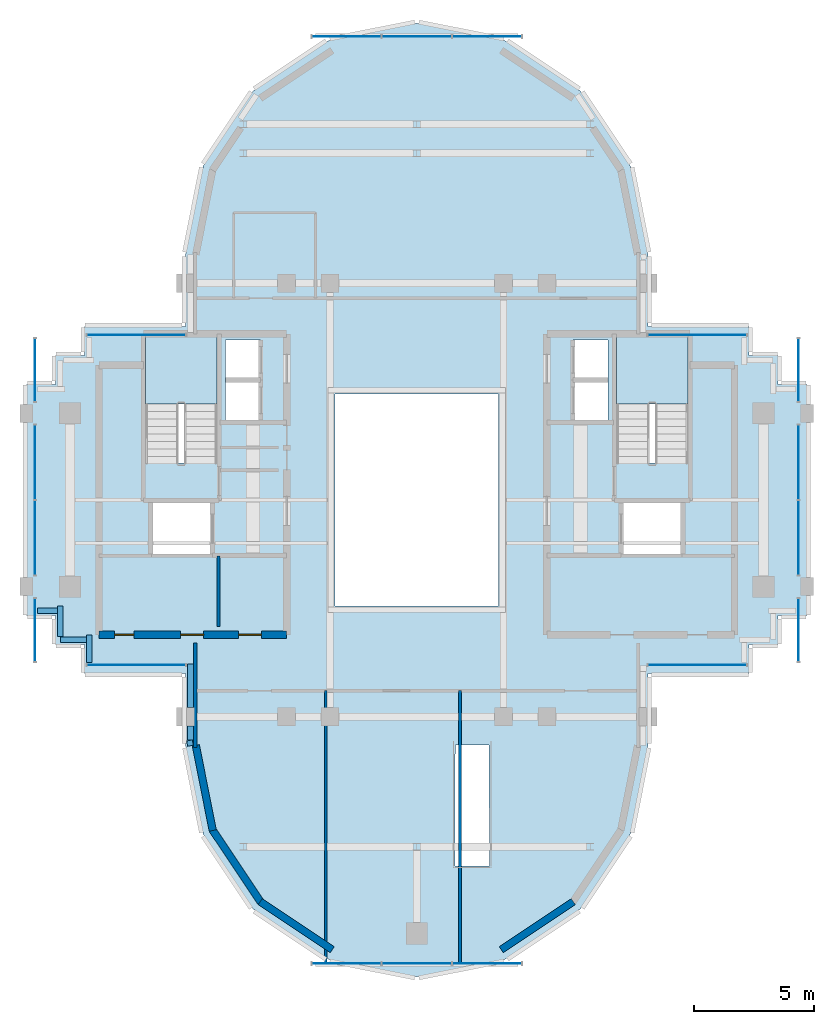
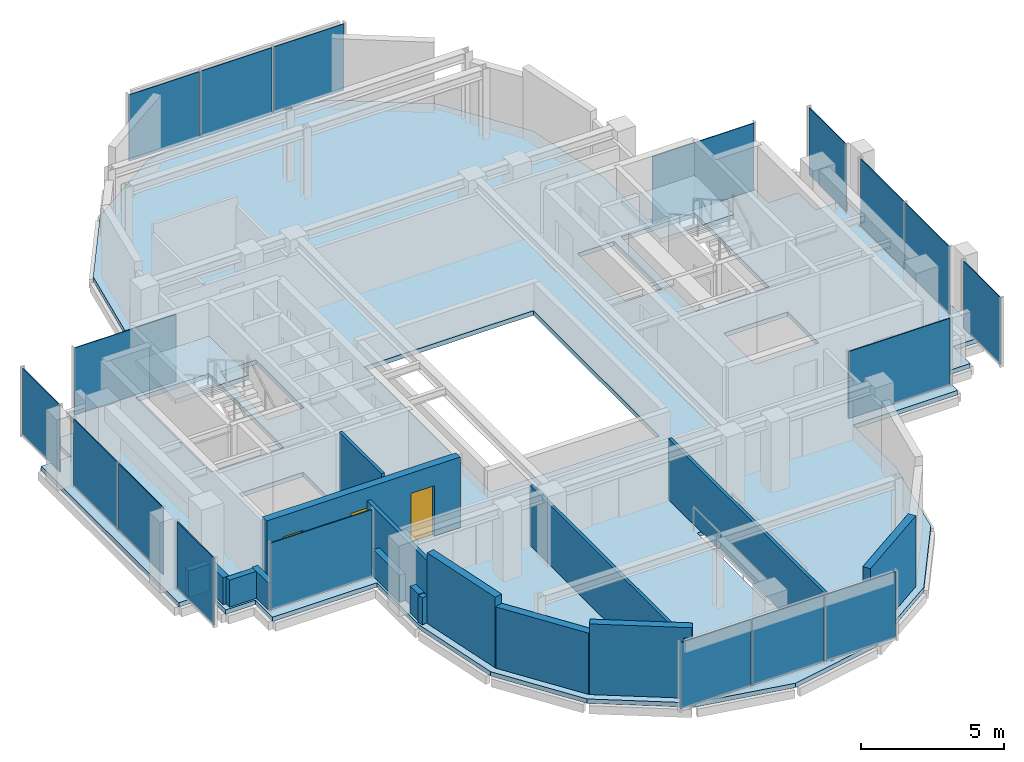
# One storey, part 6 of 11: 18 plates, 16 walls, 3 doors, 3 slabs, 3 openings, 14 elements without a shape of their own.
"""IFC4 building model written with IfcOpenShell, lengths in metres."""

from ifc_helpers import new_model, si_unit, direction, frame, frame_2d, origin, origin_2d, place, context, subcontext, project, spatial, polyline, rectangle, outline, extrude, source, transform, mapped, material, layer, layer_set, type_object, element, fill, aggregate, save


model = new_model("IFC4")

# Units and contexts
model_context = context("Model", 3, precision=1e-05, world=origin(), true_north=direction((0.0, 1.0)))
body_context = subcontext(model_context, "Body", "Model", "MODEL_VIEW")
ifc_project = project(units=[si_unit("LENGTHUNIT", "METRE"), si_unit("AREAUNIT", "SQUARE_METRE"), si_unit("VOLUMEUNIT", "CUBIC_METRE"), si_unit("PLANEANGLEUNIT", "RADIAN"), si_unit("MASSUNIT", "GRAM", prefix="KILO")], contexts=[model_context])

# Site, building, storey
site_placement = place(None, origin())
site = spatial("IfcSite", under=ifc_project, at=site_placement, CompositionType="ELEMENT")
building_placement = place(site_placement, origin())
building = spatial("IfcBuilding", under=site, at=building_placement, Name="Keilestroom Media Tower", CompositionType="ELEMENT")
storey_placement = place(building_placement, frame((0.0, 0.0, 255.60009765625)))
storey = spatial("IfcBuildingStorey", under=building, at=storey_placement, Name="L71", CompositionType="ELEMENT", Elevation=255.60009765625)

# Slab
ifc_material_1 = material(Name="Concrete C50/60", Category="concrete")
ifc_layer_1 = layer(ifc_material_1, 0.18994140625)
ifc_layer_set_1 = layer_set([ifc_layer_1], Name="Concrete C50/60")
slab_type_1 = type_object("IfcSlabType", Name="Composite-Floor-Slab-190", PredefinedType="FLOOR", material=ifc_layer_set_1)
slab_1_placement = place(storey_placement, frame((0.0, 0.0, -0.190185546875)))
element("IfcSlab", 1, at=slab_1_placement, inside=storey, type_object=slab_type_1, Name="L71 Structural Composite Floor Slab", PredefinedType="FLOOR", context=body_context, shape_type="SweptSolid", body=[
    extrude(outline(polyline([(16.199951171875, -4.800048828125), (16.199951171875, 4.800048828125), (15.0, 4.800048828125), (15.0, 6.0), (13.800048828125, 6.0), (13.800048828125, 7.199951171875), (9.60009765625, 7.199951171875), (9.60009765625, 9.60009765625), (9.60009765625, 10.199951171875), (8.869140625, 13.873779296875), (6.7880859375, 16.98828125), (3.673828125, 19.069091796875), (0.0, 19.800048828125), (-3.673828125, 19.069091796875), (-6.7880859375, 16.98828125), (-8.869140625, 13.873779296875), (-9.60009765625, 10.199951171875), (-9.60009765625, 9.60009765625), (-9.60009765625, 7.199951171875), (-13.800048828125, 7.199951171875), (-13.800048828125, 6.0), (-15.0, 6.0), (-15.0, 4.800048828125), (-16.199951171875, 4.800048828125), (-16.199951171875, -4.800048828125), (-15.0, -4.800048828125), (-15.0, -6.0), (-13.800048828125, -6.0), (-13.800048828125, -7.199951171875), (-9.60009765625, -7.199951171875), (-9.60009765625, -9.60009765625), (-9.60009765625, -10.199951171875), (-8.869140625, -13.873779296875), (-6.7880859375, -16.98828125), (-3.673828125, -19.069091796875), (0.0, -19.800048828125), (3.673828125, -19.069091796875), (6.7880859375, -16.98828125), (8.869140625, -13.873779296875), (9.60009765625, -10.199951171875), (9.60009765625, -9.60009765625), (9.60009765625, -7.199951171875), (13.800048828125, -7.199951171875), (13.800048828125, -6.0), (15.0, -6.0), (15.0, -4.800048828125), (16.199951171875, -4.800048828125)]), holes=[polyline([(-8.300048828125, 6.760009765625), (-8.300048828125, 1.544921875), (-11.260009765625, 1.544921875), (-11.260009765625, 6.760009765625), (-8.300048828125, 6.760009765625)]), polyline([(-8.47998046875, -0.10009765625), (-8.47998046875, -2.280029296875), (-11.050048828125, -2.280029296875), (-11.050048828125, -0.10009765625), (-8.47998046875, -0.10009765625)]), polyline([(-6.47998046875, 6.64990234375), (-6.47998046875, 3.300048828125), (-7.949951171875, 3.300048828125), (-7.949951171875, 6.64990234375), (-6.47998046875, 6.64990234375)]), polyline([(3.39990234375, 4.39990234375), (3.39990234375, -4.39990234375), (-3.39990234375, -4.39990234375), (-3.39990234375, 4.39990234375), (3.39990234375, 4.39990234375)]), polyline([(3.02001953125, -15.199951171875), (1.580078125, -15.199951171875), (1.60009765625, -10.1650390625), (3.0, -10.1650390625), (3.02001953125, -15.199951171875)]), polyline([(7.949951171875, 6.64990234375), (7.949951171875, 3.300048828125), (6.47998046875, 3.300048828125), (6.47998046875, 6.64990234375), (7.949951171875, 6.64990234375)]), polyline([(11.260009765625, 6.760009765625), (11.260009765625, 1.544921875), (8.300048828125, 1.544921875), (8.300048828125, 6.760009765625), (11.260009765625, 6.760009765625)]), polyline([(11.050048828125, -0.10009765625), (11.050048828125, -2.280029296875), (8.47998046875, -2.280029296875), (8.47998046875, -0.10009765625), (11.050048828125, -0.10009765625)])]), origin(), (0.0, 0.0, 1.0), 0.190185546875),
])

# Stair, slab
ifc_material_2 = material(Name="Concrete C45/55", Category="concrete")
stair_type = type_object("IfcStairType", Name="Enclosed-Dog-Leg-Stair-ST-CORE", PredefinedType="HALF_TURN_STAIR", material=ifc_material_2)
stair_1_placement = place(storey_placement, origin())
stair_1 = element("IfcStair", 2, at=stair_1_placement, inside=storey, type_object=stair_type, Name="L71 West Core Escape Stair ST-1", PredefinedType="HALF_TURN_STAIR")
ifc_layer_2 = layer(ifc_material_2, 0.199951171875)
ifc_layer_set_2 = layer_set([ifc_layer_2], Name="Concrete C45/55")
slab_type_2 = type_object("IfcSlabType", Name="Stair-Intermediate-And-Top-Landing-Slab-200", PredefinedType="LANDING", material=ifc_layer_set_2)
slab_2_placement = place(storey_placement, frame((0.0, 0.0, 1.39990234375)))
slab_2 = element("IfcSlab", 3, at=slab_2_placement, type_object=slab_type_2, Name="ST-1 landing 1", PredefinedType="LANDING", context=body_context, shape_type="SweptSolid", body=[
    extrude(outline(polyline([(-8.300048828125, 3.99609375), (-8.300048828125, 6.760009765625), (-11.260009765625, 6.760009765625), (-11.260009765625, 3.99609375), (-8.300048828125, 3.99609375)])), origin(), (0.0, 0.0, 1.0), 0.199951171875),
])
aggregate(stair_1, [slab_2])

stair_2_placement = place(storey_placement, origin())
stair_2 = element("IfcStair", 4, at=stair_2_placement, inside=storey, type_object=stair_type, Name="L71 East Core Escape Stair ST-2", PredefinedType="HALF_TURN_STAIR")
slab_3_placement = place(storey_placement, frame((0.0, 0.0, 1.39990234375)))
slab_3 = element("IfcSlab", 5, at=slab_3_placement, type_object=slab_type_2, Name="ST-2 landing 1", PredefinedType="LANDING", context=body_context, shape_type="SweptSolid", body=[
    extrude(outline(polyline([(11.260009765625, 3.99609375), (11.260009765625, 6.760009765625), (8.300048828125, 6.760009765625), (8.300048828125, 3.99609375), (11.260009765625, 3.99609375)])), origin(), (0.0, 0.0, 1.0), 0.199951171875),
])
aggregate(stair_2, [slab_3])

# Curtain wall, plates
ifc_material_3 = material(Name="Anodised Aluminium Alloy", Category="aluminium")
curtain_wall_type_1 = type_object("IfcCurtainWallType", Name="Unitised-Curtain-Wall-CW-6", PredefinedType="NOTDEFINED", material=ifc_material_3)
curtain_wall_1_placement = place(storey_placement, origin())
curtain_wall_1 = element("IfcCurtainWall", 6, at=curtain_wall_1_placement, inside=storey, type_object=curtain_wall_type_1, Name="L71 Curtain Wall CW-6 CW-L71-LN-1", PredefinedType="NOTDEFINED")
ifc_material_4 = material(Name="Curved-Facet Triple Glazed Unit", Category="glass")
ifc_layer_3 = layer(ifc_material_4, 0.033935546875)
ifc_layer_set_3 = layer_set([ifc_layer_3], Name="Curved-Facet Triple Glazed Unit")
plate_type_1 = type_object("IfcPlateType", Name="Insulated-Curtain-Wall-Glazing-Panel-CW-6", PredefinedType="CURTAIN_PANEL", material=ifc_layer_set_3)
shared_shape_1 = source(origin(), body_context, "Body", "SweptSolid", [
    extrude(rectangle(XDim=2.84375, YDim=0.033935546875, at=origin_2d()), origin(), (0.0, 0.0, 1.0), 2.833984375),
])
plate_1_placement = place(storey_placement, frame((-2.9169921875, 19.25, 0.072998046875), z_axis=(0.0, 0.0, 1.0), x_axis=(1.0, 0.0, 0.0)))
plate_1 = element("IfcPlate", 7, at=plate_1_placement, type_object=plate_type_1, Name="CW-6 Unitised Glazing 00", PredefinedType="CURTAIN_PANEL", context=body_context, shape_type="MappedRepresentation", body=[
    mapped(shared_shape_1, transform((0.0, 0.0, 0.0), x_axis=(1.0, 0.0, 0.0), y_axis=(0.0, 1.0, 0.0), z_axis=(0.0, 0.0, 1.0), scale=1.0)),
])
plate_2_placement = place(storey_placement, frame((2.9169921875, 19.25, 0.072998046875), z_axis=(0.0, 0.0, 1.0), x_axis=(1.0, 0.0, 0.0)))
plate_2 = element("IfcPlate", 8, at=plate_2_placement, type_object=plate_type_1, Name="CW-6 Unitised Glazing 02", PredefinedType="CURTAIN_PANEL", context=body_context, shape_type="MappedRepresentation", body=[
    mapped(shared_shape_1, transform((0.0, 0.0, 0.0), x_axis=(1.0, 0.0, 0.0), y_axis=(0.0, 1.0, 0.0), z_axis=(0.0, 0.0, 1.0), scale=1.0)),
])

curtain_wall_2_placement = place(storey_placement, origin())
curtain_wall_2 = element("IfcCurtainWall", 9, at=curtain_wall_2_placement, inside=storey, type_object=curtain_wall_type_1, Name="L71 Curtain Wall CW-6 CW-L71-LS-1", PredefinedType="NOTDEFINED")
plate_3_placement = place(storey_placement, frame((-2.9169921875, -19.25, 0.072998046875), z_axis=(0.0, 0.0, 1.0), x_axis=(1.0, 0.0, 0.0)))
plate_3 = element("IfcPlate", 10, at=plate_3_placement, type_object=plate_type_1, Name="CW-6 Unitised Glazing 00", PredefinedType="CURTAIN_PANEL", context=body_context, shape_type="MappedRepresentation", body=[
    mapped(shared_shape_1, transform((0.0, 0.0, 0.0), x_axis=(1.0, 0.0, 0.0), y_axis=(0.0, 1.0, 0.0), z_axis=(0.0, 0.0, 1.0), scale=1.0)),
])
plate_4_placement = place(storey_placement, frame((2.9169921875, -19.25, 0.072998046875), z_axis=(0.0, 0.0, 1.0), x_axis=(1.0, 0.0, 0.0)))
plate_4 = element("IfcPlate", 11, at=plate_4_placement, type_object=plate_type_1, Name="CW-6 Unitised Glazing 02", PredefinedType="CURTAIN_PANEL", context=body_context, shape_type="MappedRepresentation", body=[
    mapped(shared_shape_1, transform((0.0, 0.0, 0.0), x_axis=(1.0, 0.0, 0.0), y_axis=(0.0, 1.0, 0.0), z_axis=(0.0, 0.0, 1.0), scale=1.0)),
])

# Plate
shared_shape_2 = source(origin(), body_context, "Body", "SweptSolid", [
    extrude(rectangle(XDim=2.876220703125, YDim=0.033935546875, at=origin_2d()), origin(), (0.0, 0.0, 1.0), 2.833984375),
])
plate_5_placement = place(storey_placement, frame((0.0, 19.25, 0.072998046875), z_axis=(0.0, 0.0, 1.0), x_axis=(1.0, 0.0, 0.0)))
plate_5 = element("IfcPlate", 12, at=plate_5_placement, type_object=plate_type_1, Name="CW-6 Unitised Glazing 01", PredefinedType="CURTAIN_PANEL", context=body_context, shape_type="MappedRepresentation", body=[
    mapped(shared_shape_2, transform((0.0, 0.0, 0.0), x_axis=(1.0, 0.0, 0.0), y_axis=(0.0, 1.0, 0.0), z_axis=(0.0, 0.0, 1.0), scale=1.0)),
])

aggregate(curtain_wall_1, [plate_1, plate_5, plate_2])

plate_6_placement = place(storey_placement, frame((0.0, -19.25, 0.072998046875), z_axis=(0.0, 0.0, 1.0), x_axis=(1.0, 0.0, 0.0)))
plate_6 = element("IfcPlate", 13, at=plate_6_placement, type_object=plate_type_1, Name="CW-6 Unitised Glazing 01", PredefinedType="CURTAIN_PANEL", context=body_context, shape_type="MappedRepresentation", body=[
    mapped(shared_shape_2, transform((0.0, 0.0, 0.0), x_axis=(1.0, 0.0, 0.0), y_axis=(0.0, 1.0, 0.0), z_axis=(0.0, 0.0, 1.0), scale=1.0)),
])

aggregate(curtain_wall_2, [plate_3, plate_6, plate_4])

# Curtain wall, plates
curtain_wall_type_2 = type_object("IfcCurtainWallType", Name="Unitised-Curtain-Wall-CW-4", PredefinedType="NOTDEFINED", material=ifc_material_3)
curtain_wall_3_placement = place(storey_placement, origin())
curtain_wall_3 = element("IfcCurtainWall", 14, at=curtain_wall_3_placement, inside=storey, type_object=curtain_wall_type_2, Name="L71 Curtain Wall CW-4 CW-L71-W-2", PredefinedType="NOTDEFINED")
ifc_material_5 = material(Name="Triple Glazed Solar-Control Unit", Category="glass")
ifc_layer_4 = layer(ifc_material_5, 0.035888671875)
ifc_layer_set_4 = layer_set([ifc_layer_4], Name="Triple Glazed Solar-Control Unit")
plate_type_2 = type_object("IfcPlateType", Name="Insulated-Curtain-Wall-Glazing-Panel-CW-4", PredefinedType="CURTAIN_PANEL", material=ifc_layer_set_4)
shared_shape_3 = source(origin(), body_context, "Body", "SweptSolid", [
    extrude(rectangle(XDim=3.0830078125, YDim=0.035888671875, at=origin_2d()), origin(), (0.0, 0.0, 1.0), 2.85400390625),
])
plate_7_placement = place(storey_placement, frame((-15.85009765625, -1.5673828125, 0.06298828125), z_axis=(0.0, 0.0, 1.0), x_axis=(0.0, 1.0, 0.0)))
plate_7 = element("IfcPlate", 15, at=plate_7_placement, type_object=plate_type_2, Name="CW-4 Unitised Glazing 00", PredefinedType="CURTAIN_PANEL", context=body_context, shape_type="MappedRepresentation", body=[
    mapped(shared_shape_3, transform((0.0, 0.0, 0.0), x_axis=(1.0, 0.0, 0.0), y_axis=(0.0, 1.0, 0.0), z_axis=(0.0, 0.0, 1.0), scale=1.0)),
])
plate_8_placement = place(storey_placement, frame((-15.85009765625, 1.5673828125, 0.06298828125), z_axis=(0.0, 0.0, 1.0), x_axis=(0.0, 1.0, 0.0)))
plate_8 = element("IfcPlate", 16, at=plate_8_placement, type_object=plate_type_2, Name="CW-4 Unitised Glazing 01", PredefinedType="CURTAIN_PANEL", context=body_context, shape_type="MappedRepresentation", body=[
    mapped(shared_shape_3, transform((0.0, 0.0, 0.0), x_axis=(1.0, 0.0, 0.0), y_axis=(0.0, 1.0, 0.0), z_axis=(0.0, 0.0, 1.0), scale=1.0)),
])
aggregate(curtain_wall_3, [plate_7, plate_8])

curtain_wall_4_placement = place(storey_placement, origin())
curtain_wall_4 = element("IfcCurtainWall", 17, at=curtain_wall_4_placement, inside=storey, type_object=curtain_wall_type_2, Name="L71 Curtain Wall CW-4 CW-L71-E-2", PredefinedType="NOTDEFINED")
plate_9_placement = place(storey_placement, frame((15.85009765625, -1.5673828125, 0.06298828125), z_axis=(0.0, 0.0, 1.0), x_axis=(0.0, 1.0, 0.0)))
plate_9 = element("IfcPlate", 18, at=plate_9_placement, type_object=plate_type_2, Name="CW-4 Unitised Glazing 00", PredefinedType="CURTAIN_PANEL", context=body_context, shape_type="MappedRepresentation", body=[
    mapped(shared_shape_3, transform((0.0, 0.0, 0.0), x_axis=(1.0, 0.0, 0.0), y_axis=(0.0, 1.0, 0.0), z_axis=(0.0, 0.0, 1.0), scale=1.0)),
])
plate_10_placement = place(storey_placement, frame((15.85009765625, 1.5673828125, 0.06298828125), z_axis=(0.0, 0.0, 1.0), x_axis=(0.0, 1.0, 0.0)))
plate_10 = element("IfcPlate", 19, at=plate_10_placement, type_object=plate_type_2, Name="CW-4 Unitised Glazing 01", PredefinedType="CURTAIN_PANEL", context=body_context, shape_type="MappedRepresentation", body=[
    mapped(shared_shape_3, transform((0.0, 0.0, 0.0), x_axis=(1.0, 0.0, 0.0), y_axis=(0.0, 1.0, 0.0), z_axis=(0.0, 0.0, 1.0), scale=1.0)),
])
aggregate(curtain_wall_4, [plate_9, plate_10])

# Curtain wall, plate
curtain_wall_5_placement = place(storey_placement, origin())
curtain_wall_5 = element("IfcCurtainWall", 20, at=curtain_wall_5_placement, inside=storey, type_object=curtain_wall_type_2, Name="L71 Curtain Wall CW-4 CW-L71-W-1", PredefinedType="NOTDEFINED")
shared_shape_4 = source(origin(), body_context, "Body", "SweptSolid", [
    extrude(rectangle(XDim=2.60302734375, YDim=0.035888671875, at=origin_2d()), origin(), (0.0, 0.0, 1.0), 2.85400390625),
])
plate_11_placement = place(storey_placement, frame((-15.85009765625, -5.392578125, 0.06298828125), z_axis=(0.0, 0.0, 1.0), x_axis=(0.0, 1.0, 0.0)))
plate_11 = element("IfcPlate", 21, at=plate_11_placement, type_object=plate_type_2, Name="CW-4 Unitised Glazing 00", PredefinedType="CURTAIN_PANEL", context=body_context, shape_type="MappedRepresentation", body=[
    mapped(shared_shape_4, transform((0.0, 0.0, 0.0), x_axis=(1.0, 0.0, 0.0), y_axis=(0.0, 1.0, 0.0), z_axis=(0.0, 0.0, 1.0), scale=1.0)),
])
aggregate(curtain_wall_5, [plate_11])

curtain_wall_6_placement = place(storey_placement, origin())
curtain_wall_6 = element("IfcCurtainWall", 22, at=curtain_wall_6_placement, inside=storey, type_object=curtain_wall_type_2, Name="L71 Curtain Wall CW-4 CW-L71-W-3", PredefinedType="NOTDEFINED")
plate_12_placement = place(storey_placement, frame((-15.85009765625, 5.392578125, 0.06298828125), z_axis=(0.0, 0.0, 1.0), x_axis=(0.0, 1.0, 0.0)))
plate_12 = element("IfcPlate", 23, at=plate_12_placement, type_object=plate_type_2, Name="CW-4 Unitised Glazing 00", PredefinedType="CURTAIN_PANEL", context=body_context, shape_type="MappedRepresentation", body=[
    mapped(shared_shape_4, transform((0.0, 0.0, 0.0), x_axis=(1.0, 0.0, 0.0), y_axis=(0.0, 1.0, 0.0), z_axis=(0.0, 0.0, 1.0), scale=1.0)),
])
aggregate(curtain_wall_6, [plate_12])

curtain_wall_7_placement = place(storey_placement, origin())
curtain_wall_7 = element("IfcCurtainWall", 24, at=curtain_wall_7_placement, inside=storey, type_object=curtain_wall_type_2, Name="L71 Curtain Wall CW-4 CW-L71-E-1", PredefinedType="NOTDEFINED")
plate_13_placement = place(storey_placement, frame((15.85009765625, -5.392578125, 0.06298828125), z_axis=(0.0, 0.0, 1.0), x_axis=(0.0, 1.0, 0.0)))
plate_13 = element("IfcPlate", 25, at=plate_13_placement, type_object=plate_type_2, Name="CW-4 Unitised Glazing 00", PredefinedType="CURTAIN_PANEL", context=body_context, shape_type="MappedRepresentation", body=[
    mapped(shared_shape_4, transform((0.0, 0.0, 0.0), x_axis=(1.0, 0.0, 0.0), y_axis=(0.0, 1.0, 0.0), z_axis=(0.0, 0.0, 1.0), scale=1.0)),
])
aggregate(curtain_wall_7, [plate_13])

curtain_wall_8_placement = place(storey_placement, origin())
curtain_wall_8 = element("IfcCurtainWall", 26, at=curtain_wall_8_placement, inside=storey, type_object=curtain_wall_type_2, Name="L71 Curtain Wall CW-4 CW-L71-E-3", PredefinedType="NOTDEFINED")
plate_14_placement = place(storey_placement, frame((15.85009765625, 5.392578125, 0.06298828125), z_axis=(0.0, 0.0, 1.0), x_axis=(0.0, 1.0, 0.0)))
plate_14 = element("IfcPlate", 27, at=plate_14_placement, type_object=plate_type_2, Name="CW-4 Unitised Glazing 00", PredefinedType="CURTAIN_PANEL", context=body_context, shape_type="MappedRepresentation", body=[
    mapped(shared_shape_4, transform((0.0, 0.0, 0.0), x_axis=(1.0, 0.0, 0.0), y_axis=(0.0, 1.0, 0.0), z_axis=(0.0, 0.0, 1.0), scale=1.0)),
])
aggregate(curtain_wall_8, [plate_14])

curtain_wall_9_placement = place(storey_placement, origin())
curtain_wall_9 = element("IfcCurtainWall", 28, at=curtain_wall_9_placement, inside=storey, type_object=curtain_wall_type_2, Name="L71 Curtain Wall CW-4 CW-L71-NW-1", PredefinedType="NOTDEFINED")
shared_shape_5 = source(origin(), body_context, "Body", "SweptSolid", [
    extrude(rectangle(XDim=4.087890625, YDim=0.035888671875, at=origin_2d()), origin(), (0.0, 0.0, 1.0), 2.85400390625),
])
plate_15_placement = place(storey_placement, frame((-11.64990234375, 6.85009765625, 0.06298828125), z_axis=(0.0, 0.0, 1.0), x_axis=(1.0, 0.0, 0.0)))
plate_15 = element("IfcPlate", 29, at=plate_15_placement, type_object=plate_type_2, Name="CW-4 Unitised Glazing 00", PredefinedType="CURTAIN_PANEL", context=body_context, shape_type="MappedRepresentation", body=[
    mapped(shared_shape_5, transform((0.0, 0.0, 0.0), x_axis=(1.0, 0.0, 0.0), y_axis=(0.0, 1.0, 0.0), z_axis=(0.0, 0.0, 1.0), scale=1.0)),
])
aggregate(curtain_wall_9, [plate_15])

curtain_wall_10_placement = place(storey_placement, origin())
curtain_wall_10 = element("IfcCurtainWall", 30, at=curtain_wall_10_placement, inside=storey, type_object=curtain_wall_type_2, Name="L71 Curtain Wall CW-4 CW-L71-NE-1", PredefinedType="NOTDEFINED")
plate_16_placement = place(storey_placement, frame((11.64990234375, 6.85009765625, 0.06298828125), z_axis=(0.0, 0.0, 1.0), x_axis=(1.0, 0.0, 0.0)))
plate_16 = element("IfcPlate", 31, at=plate_16_placement, type_object=plate_type_2, Name="CW-4 Unitised Glazing 00", PredefinedType="CURTAIN_PANEL", context=body_context, shape_type="MappedRepresentation", body=[
    mapped(shared_shape_5, transform((0.0, 0.0, 0.0), x_axis=(1.0, 0.0, 0.0), y_axis=(0.0, 1.0, 0.0), z_axis=(0.0, 0.0, 1.0), scale=1.0)),
])
aggregate(curtain_wall_10, [plate_16])

curtain_wall_11_placement = place(storey_placement, origin())
curtain_wall_11 = element("IfcCurtainWall", 32, at=curtain_wall_11_placement, inside=storey, type_object=curtain_wall_type_2, Name="L71 Curtain Wall CW-4 CW-L71-SW-1", PredefinedType="NOTDEFINED")
plate_17_placement = place(storey_placement, frame((-11.64990234375, -6.85009765625, 0.06298828125), z_axis=(0.0, 0.0, 1.0), x_axis=(1.0, 0.0, 0.0)))
plate_17 = element("IfcPlate", 33, at=plate_17_placement, type_object=plate_type_2, Name="CW-4 Unitised Glazing 00", PredefinedType="CURTAIN_PANEL", context=body_context, shape_type="MappedRepresentation", body=[
    mapped(shared_shape_5, transform((0.0, 0.0, 0.0), x_axis=(1.0, 0.0, 0.0), y_axis=(0.0, 1.0, 0.0), z_axis=(0.0, 0.0, 1.0), scale=1.0)),
])
aggregate(curtain_wall_11, [plate_17])

curtain_wall_12_placement = place(storey_placement, origin())
curtain_wall_12 = element("IfcCurtainWall", 34, at=curtain_wall_12_placement, inside=storey, type_object=curtain_wall_type_2, Name="L71 Curtain Wall CW-4 CW-L71-SE-1", PredefinedType="NOTDEFINED")
plate_18_placement = place(storey_placement, frame((11.64990234375, -6.85009765625, 0.06298828125), z_axis=(0.0, 0.0, 1.0), x_axis=(1.0, 0.0, 0.0)))
plate_18 = element("IfcPlate", 35, at=plate_18_placement, type_object=plate_type_2, Name="CW-4 Unitised Glazing 00", PredefinedType="CURTAIN_PANEL", context=body_context, shape_type="MappedRepresentation", body=[
    mapped(shared_shape_5, transform((0.0, 0.0, 0.0), x_axis=(1.0, 0.0, 0.0), y_axis=(0.0, 1.0, 0.0), z_axis=(0.0, 0.0, 1.0), scale=1.0)),
])
aggregate(curtain_wall_12, [plate_18])

# Walls
ifc_material_6 = material(Name="Precast concrete C40/50", Category="concrete")
ifc_layer_5 = layer(ifc_material_6, 0.300048828125)
ifc_layer_set_5 = layer_set([ifc_layer_5], Name="Precast concrete C40/50")
wall_type_1 = type_object("IfcWallType", Name="Exterior-Masonry-Spandrel-Wall-300", PredefinedType="SOLIDWALL", material=ifc_layer_set_5)
wall_1_placement = place(storey_placement, frame((-9.1748046875, -10.185302734375, 0.0), z_axis=(0.0, 0.0, 1.0), x_axis=(0.195114232679, -0.980780523974, 0.0)))
element("IfcWall", 36, at=wall_1_placement, inside=storey, type_object=wall_type_1, Name="L71 Lobe Facet Precast Frame Wall 07", PredefinedType="SOLIDWALL", context=body_context, shape_type="SweptSolid", body=[
    extrude(rectangle(XDim=3.608642578125, YDim=0.300048828125, at=frame_2d((1.80419921875, 0.0))), origin(), (0.0, 0.0, 1.0), 3.010009765625),
])
wall_2_placement = place(storey_placement, frame((-8.48193359375, -13.697509765625, 0.0), z_axis=(0.0, 0.0, 1.0), x_axis=(0.555574187116, -0.831466970246, 0.0)))
element("IfcWall", 37, at=wall_2_placement, inside=storey, type_object=wall_type_1, Name="L71 Lobe Facet Precast Frame Wall 08", PredefinedType="SOLIDWALL", context=body_context, shape_type="SweptSolid", body=[
    extrude(rectangle(XDim=3.608642578125, YDim=0.300048828125, at=frame_2d((1.80419921875, 0.0))), origin(), (0.0, 0.0, 1.0), 2.60986328125),
])
for number, where, z_axis, x_axis, name in (
    (38, (-6.497802734375, -16.677001953125, 0.0), (0.0, 0.0, 1.0), (0.831443568068, -0.555609208993, 0.0), "L71 Lobe Facet Precast Frame Wall 09"),
    (39, (3.510009765625, -18.673583984375, 0.0), (0.0, 0.0, 1.0), (0.831443568068, 0.555609208993, 0.0), "L71 Lobe Facet Precast Frame Wall 10"),
):
    element("IfcWall", number, at=place(storey_placement, frame(where, z_axis=z_axis, x_axis=x_axis)), inside=storey, type_object=wall_type_1, Name=name, PredefinedType="SOLIDWALL", context=body_context, shape_type="SweptSolid", body=[
        extrude(rectangle(XDim=3.593505859375, YDim=0.300048828125, at=frame_2d((1.796875, 0.0))), origin(), (0.0, 0.0, 1.0), 3.010009765625),
    ])
ifc_material_7 = material(Name="Gypsum Plasterboard & Steel Stud", Category="steel")
ifc_layer_6 = layer(ifc_material_7, 0.1201171875)
ifc_layer_set_6 = layer_set([ifc_layer_6], Name="Gypsum Plasterboard & Steel Stud")
wall_type_2 = type_object("IfcWallType", Name="Interior-Partition-Wall-120", PredefinedType="PARTITIONING", material=ifc_layer_set_6)
wall_3_placement = place(storey_placement, frame((-8.239990234375, -5.260009765625, 0.0), z_axis=(0.0, 0.0, 1.0), x_axis=(0.0, 1.0, 0.0)))
element("IfcWall", 40, at=wall_3_placement, inside=storey, type_object=wall_type_2, Name="L71 Interior Wall WP-L71-RECMW-M", PredefinedType="PARTITIONING", context=body_context, shape_type="SweptSolid", body=[
    extrude(rectangle(XDim=2.93994140625, YDim=0.1201171875, at=frame_2d((1.469970703125, 0.0))), origin(), (0.0, 0.0, 1.0), 3.010009765625),
])
wall_4_placement = place(storey_placement, frame((-3.780029296875, -19.25, 0.0), z_axis=(0.0, 0.0, 1.0), x_axis=(0.0, 1.0, 0.0)))
element("IfcWall", 41, at=wall_4_placement, inside=storey, type_object=wall_type_2, Name="L71 Interior Wall WP-L71-SL-V1", PredefinedType="PARTITIONING", context=body_context, shape_type="SweptSolid", body=[
    extrude(rectangle(XDim=11.330078125, YDim=0.1201171875, at=frame_2d((5.6650390625, 0.0))), origin(), (0.0, 0.0, 1.0), 2.56982421875),
])
wall_5_placement = place(storey_placement, frame((1.800048828125, -19.25, 0.0), z_axis=(0.0, 0.0, 1.0), x_axis=(0.0, 1.0, 0.0)))
element("IfcWall", 42, at=wall_5_placement, inside=storey, type_object=wall_type_2, Name="L71 Interior Wall WP-L71-SL-V2", PredefinedType="PARTITIONING", context=body_context, shape_type="SweptSolid", body=[
    extrude(rectangle(XDim=11.330078125, YDim=0.1201171875, at=frame_2d((5.6650390625, 0.0))), origin(), (0.0, 0.0, 1.0), 2.60986328125),
])
ifc_layer_7 = layer(ifc_material_7, 0.14990234375)
ifc_layer_set_7 = layer_set([ifc_layer_7], Name="Gypsum Plasterboard & Steel Stud")
wall_type_3 = type_object("IfcWallType", Name="Interior-Partition-Wall-150", PredefinedType="PARTITIONING", material=ifc_layer_set_7)
wall_6_placement = place(storey_placement, frame((-9.199951171875, -10.280029296875, 0.0), z_axis=(0.0, 0.0, 1.0), x_axis=(0.0, 1.0, 0.0)))
element("IfcWall", 43, at=wall_6_placement, inside=storey, type_object=wall_type_3, Name="L71 Interior Wall WP-L71-SL-CHKW", PredefinedType="PARTITIONING", context=body_context, shape_type="SweptSolid", body=[
    extrude(rectangle(XDim=4.340087890625, YDim=0.14990234375, at=frame_2d((2.169921875, 0.0))), origin(), (0.0, 0.0, 1.0), 2.60986328125),
])

# Wall, openings, doors
ifc_layer_8 = layer(ifc_material_1, 0.300048828125)
ifc_layer_set_8 = layer_set([ifc_layer_8], Name="Concrete C50/60")
wall_type_4 = type_object("IfcWallType", Name="Reinforced-Concrete-Core-Shear-Wall-300", PredefinedType="SHEAR", material=ifc_layer_set_8)
wall_7_placement = place(storey_placement, frame((-13.199951171875, -5.60009765625, 0.0), z_axis=(0.0, 0.0, 1.0), x_axis=(1.0, 0.0, 0.0)))
wall_7 = element("IfcWall", 44, at=wall_7_placement, inside=storey, type_object=wall_type_4, Name="L71 Core Shear Wall WL-L71-CORE-W-S", PredefinedType="SHEAR", context=body_context, shape_type="SweptSolid", body=[
    extrude(rectangle(XDim=7.800048828125, YDim=0.300048828125, at=frame_2d((3.89990234375, 0.0))), origin(), (0.0, 0.0, 1.0), 3.010009765625),
])
opening_1_placement = place(wall_7_placement, frame((0.64990234375, 0.0, 0.0)))
opening_1 = element("IfcOpeningElement", 45, at=opening_1_placement, cuts=wall_7, Name="Opening DI-06", PredefinedType="OPENING", context=body_context, shape_type="SweptSolid", body=[
    extrude(rectangle(XDim=0.800048828125, YDim=2.10009765625, at=frame_2d((0.39990234375, 1.050048828125))), frame((0.0, 0.16015625, 0.0), z_axis=(0.0, -1.0, 0.0), x_axis=(1.0, 0.0, 0.0)), (0.0, 0.0, 1.0), 0.320068359375),
])
opening_2_placement = place(wall_7_placement, frame((3.39990234375, 0.0, 0.0)))
opening_2 = element("IfcOpeningElement", 46, at=opening_2_placement, cuts=wall_7, Name="Opening DI-03", PredefinedType="OPENING", context=body_context, shape_type="SweptSolid", body=[
    extrude(rectangle(XDim=0.949951171875, YDim=2.14990234375, at=frame_2d((0.47509765625, 1.074951171875))), frame((0.0, 0.16015625, 0.0), z_axis=(0.0, -1.0, 0.0), x_axis=(1.0, 0.0, 0.0)), (0.0, 0.0, 1.0), 0.320068359375),
])
opening_3_placement = place(wall_7_placement, frame((5.800048828125, 0.0, 0.0)))
opening_3 = element("IfcOpeningElement", 47, at=opening_3_placement, cuts=wall_7, Name="Opening DI-03", PredefinedType="OPENING", context=body_context, shape_type="SweptSolid", body=[
    extrude(rectangle(XDim=0.949951171875, YDim=2.14990234375, at=frame_2d((0.47509765625, 1.074951171875))), frame((0.0, 0.16015625, 0.0), z_axis=(0.0, -1.0, 0.0), x_axis=(1.0, 0.0, 0.0)), (0.0, 0.0, 1.0), 0.320068359375),
])
ifc_material_8 = material(Name="Powder-Coated Steel Service Leaf", Category="steel")
door_type_1 = type_object("IfcDoorType", Name="Interior-Riser-Access-Door-DI-06", OperationType="NOTDEFINED", PredefinedType="DOOR", material=ifc_material_8)
shared_shape_6 = source(origin(), body_context, "Body", "SweptSolid", [
    extrude(rectangle(XDim=0.800048828125, YDim=2.10009765625, at=frame_2d((0.39990234375, 1.050048828125))), frame((0.0, 0.02490234375, 0.0), z_axis=(0.0, -1.0, 0.0), x_axis=(1.0, 0.0, 0.0)), (0.0, 0.0, 1.0), 0.050048828125),
])
door_1_placement = place(opening_1_placement, origin())
door_1 = element("IfcDoor", 48, at=door_1_placement, inside=storey, type_object=door_type_1, Name="L71 Reclaimed West Core Room Door", OperationType="SINGLE_SWING_LEFT", OverallHeight=2.10009765625, OverallWidth=0.800048828125, PredefinedType="DOOR", context=body_context, shape_type="MappedRepresentation", body=[
    mapped(shared_shape_6, transform((0.0, 0.0, 0.0), x_axis=(1.0, 0.0, 0.0), y_axis=(0.0, 1.0, 0.0), z_axis=(0.0, 0.0, 1.0), scale=1.0)),
])
fill(opening_1, door_1)
ifc_material_9 = material(Name="Lacquered European Oak Leaf", Category="wood")
door_type_2 = type_object("IfcDoorType", Name="Interior-Room-And-Suite-Door-DI-03", OperationType="NOTDEFINED", PredefinedType="DOOR", material=ifc_material_9)
shared_shape_7 = source(origin(), body_context, "Body", "SweptSolid", [
    extrude(rectangle(XDim=0.949951171875, YDim=2.14990234375, at=frame_2d((0.47509765625, 1.074951171875))), frame((0.0, 0.02490234375, 0.0), z_axis=(0.0, -1.0, 0.0), x_axis=(1.0, 0.0, 0.0)), (0.0, 0.0, 1.0), 0.050048828125),
])
door_2_placement = place(opening_2_placement, origin())
door_2 = element("IfcDoor", 49, at=door_2_placement, inside=storey, type_object=door_type_2, Name="L71 Reclaimed Mid West Room 1 Door", OperationType="SINGLE_SWING_LEFT", OverallHeight=2.14990234375, OverallWidth=0.949951171875, PredefinedType="DOOR", context=body_context, shape_type="MappedRepresentation", body=[
    mapped(shared_shape_7, transform((0.0, 0.0, 0.0), x_axis=(1.0, 0.0, 0.0), y_axis=(0.0, 1.0, 0.0), z_axis=(0.0, 0.0, 1.0), scale=1.0)),
])
fill(opening_2, door_2)
door_3_placement = place(opening_3_placement, origin())
door_3 = element("IfcDoor", 50, at=door_3_placement, inside=storey, type_object=door_type_2, Name="L71 Reclaimed Mid West Room 2 Door", OperationType="SINGLE_SWING_RIGHT", OverallHeight=2.14990234375, OverallWidth=0.949951171875, PredefinedType="DOOR", context=body_context, shape_type="MappedRepresentation", body=[
    mapped(shared_shape_7, transform((0.0, 0.0, 0.0), x_axis=(1.0, 0.0, 0.0), y_axis=(0.0, 1.0, 0.0), z_axis=(0.0, 0.0, 1.0), scale=1.0)),
])
fill(opening_3, door_3)

# Walls
ifc_layer_9 = layer(ifc_material_6, 0.239990234375)
ifc_layer_set_9 = layer_set([ifc_layer_9], Name="Precast concrete C40/50")
wall_type_5 = type_object("IfcWallType", Name="Roof-And-Terrace-Parapet-Wall-240", PredefinedType="PARAPET", material=ifc_layer_set_9)
wall_8_placement = place(storey_placement, frame((-9.395263671875, -10.2041015625, 0.0), z_axis=(0.0, 0.0, 1.0), x_axis=(-0.194859894132, 0.980831087221, 0.0)))
element("IfcWall", 51, at=wall_8_placement, inside=storey, type_object=wall_type_5, Name="L71 Perimeter Edge Parapet Wall 08", PredefinedType="PARAPET", context=body_context, shape_type="SweptSolid", body=[
    extrude(rectangle(XDim=0.224365234375, YDim=0.239990234375, at=frame_2d((0.1123046875, 0.0))), origin(), (0.0, 0.0, 1.0), 1.14990234375),
])
wall_9_placement = place(storey_placement, frame((-9.39990234375, -9.957763671875, 0.0), z_axis=(0.0, 0.0, 1.0), x_axis=(0.0, 1.0, 0.0)))
element("IfcWall", 52, at=wall_9_placement, inside=storey, type_object=wall_type_5, Name="L71 Perimeter Edge Parapet Wall 09", PredefinedType="PARAPET", context=body_context, shape_type="SweptSolid", body=[
    extrude(rectangle(XDim=0.579833984375, YDim=0.239990234375, at=frame_2d((0.2900390625, 0.0))), origin(), (0.0, 0.0, 1.0), 1.14990234375),
])
wall_10_placement = place(storey_placement, frame((-9.39990234375, -8.6220703125, 0.0), z_axis=(0.0, 0.0, 1.0), x_axis=(0.0, 1.0, 0.0)))
element("IfcWall", 53, at=wall_10_placement, inside=storey, type_object=wall_type_5, Name="L71 Perimeter Edge Parapet Wall 10", PredefinedType="PARAPET", context=body_context, shape_type="SweptSolid", body=[
    extrude(rectangle(XDim=1.802978515625, YDim=0.239990234375, at=frame_2d((0.9013671875, 0.0))), origin(), (0.0, 0.0, 1.0), 1.14990234375),
])
wall_11_placement = place(storey_placement, frame((-13.60009765625, -6.757080078125, 0.0), z_axis=(0.0, 0.0, 1.0), x_axis=(0.0, 1.0, 0.0)))
element("IfcWall", 54, at=wall_11_placement, inside=storey, type_object=wall_type_5, Name="L71 Perimeter Edge Parapet Wall 11", PredefinedType="PARAPET", context=body_context, shape_type="SweptSolid", body=[
    extrude(rectangle(XDim=1.1416015625, YDim=0.239990234375, at=frame_2d((0.57080078125, 0.0))), origin(), (0.0, 0.0, 1.0), 1.14990234375),
])
wall_12_placement = place(storey_placement, frame((-13.722900390625, -5.800048828125, 0.0), z_axis=(0.0, 0.0, 1.0), x_axis=(-1.0, 0.0, 0.0)))
element("IfcWall", 55, at=wall_12_placement, inside=storey, type_object=wall_type_5, Name="L71 Perimeter Edge Parapet Wall 12", PredefinedType="PARAPET", context=body_context, shape_type="SweptSolid", body=[
    extrude(rectangle(XDim=1.0771484375, YDim=0.239990234375, at=frame_2d((0.53857421875, 0.0))), origin(), (0.0, 0.0, 1.0), 1.14990234375),
])
wall_13_placement = place(storey_placement, frame((-14.800048828125, -5.677001953125, 0.0), z_axis=(0.0, 0.0, 1.0), x_axis=(0.0, 1.0, 0.0)))
element("IfcWall", 56, at=wall_13_placement, inside=storey, type_object=wall_type_5, Name="L71 Perimeter Edge Parapet Wall 13", PredefinedType="PARAPET", context=body_context, shape_type="SweptSolid", body=[
    extrude(rectangle(XDim=1.277099609375, YDim=0.239990234375, at=frame_2d((0.638671875, 0.0))), origin(), (0.0, 0.0, 1.0), 1.14990234375),
])
wall_14_placement = place(storey_placement, frame((-14.923095703125, -4.60009765625, 0.0), z_axis=(0.0, 0.0, 1.0), x_axis=(-1.0, 0.0, 0.0)))
element("IfcWall", 57, at=wall_14_placement, inside=storey, type_object=wall_type_5, Name="L71 Perimeter Edge Parapet Wall 14", PredefinedType="PARAPET", context=body_context, shape_type="SweptSolid", body=[
    extrude(rectangle(XDim=0.833984375, YDim=0.239990234375, at=frame_2d((0.4169921875, 0.0))), origin(), (0.0, 0.0, 1.0), 1.14990234375),
])

save(model, "model.ifc")
